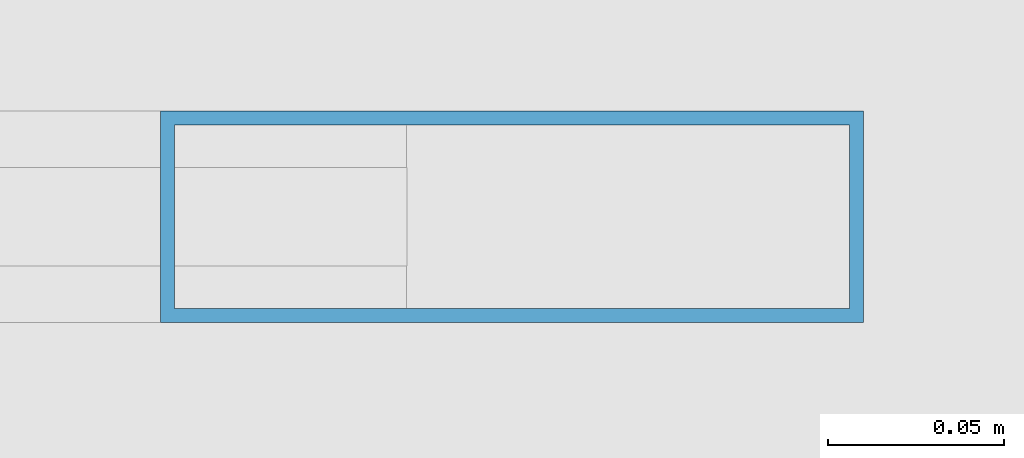
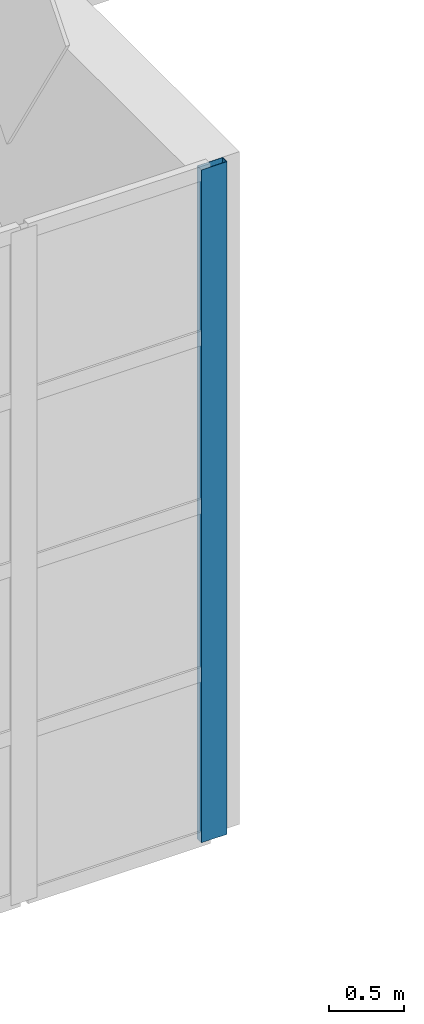
# One storey, part 190 of 437: 1 member, 1 element without a shape of its own.
"""IFC4 building model written with IfcOpenShell, lengths in metres."""

from ifc_helpers import new_model, si_unit, direction, frame, origin, origin_2d, place, context, subcontext, project, spatial, hollow_rectangle, extrude, material, layer, layer_set, material_profile, profile_set, type_object, element, aggregate, save


model = new_model("IFC4")

# Units and contexts
model_context = context("Model", 3, precision=1e-05, world=origin(), true_north=direction((0.0, 1.0)))
body_context = subcontext(model_context, "Body", "Model", "MODEL_VIEW")
ifc_project = project(units=[si_unit("LENGTHUNIT", "METRE"), si_unit("AREAUNIT", "SQUARE_METRE"), si_unit("VOLUMEUNIT", "CUBIC_METRE"), si_unit("PLANEANGLEUNIT", "RADIAN"), si_unit("MASSUNIT", "GRAM", prefix="KILO")], contexts=[model_context])

# Site, building, storey
site_placement = place(None, origin())
site = spatial("IfcSite", under=ifc_project, at=site_placement, CompositionType="ELEMENT")
building_placement = place(site_placement, origin())
building = spatial("IfcBuilding", under=site, at=building_placement, Name="Opaline Strait Convention Centre", CompositionType="ELEMENT")
storey_placement = place(building_placement, frame((0.0, 0.0, 11.5)))
storey = spatial("IfcBuildingStorey", under=building, at=storey_placement, Name="L02", CompositionType="ELEMENT", Elevation=11.5)

# Curtain wall, member
ifc_material_1 = material(Name="Aluminium framed glazing", Category="aluminium")
ifc_layer = layer(ifc_material_1, 0.199951171875)
ifc_layer_set = layer_set([ifc_layer], Name="Aluminium framed glazing")
curtain_wall_type = type_object("IfcCurtainWallType", Name="Entrance curtain wall 1500", PredefinedType="NOTDEFINED", material=ifc_layer_set)
curtain_wall_placement = place(storey_placement, origin())
curtain_wall = element("IfcCurtainWall", 1, at=curtain_wall_placement, inside=storey, type_object=curtain_wall_type, Name="Entrance curtain wall L02-R3", PredefinedType="NOTDEFINED")
ifc_material_2 = material(Name="Aluminium alloy 6063", Category="aluminium")
ifc_material_profile = material_profile(ifc_material_2, hollow_rectangle(XDim=0.06005859375, YDim=0.199951171875, WallThickness=0.00390625, at=origin_2d()), Name="MULLION 60x200x4")
ifc_profile_set = profile_set([ifc_material_profile], Name="Aluminium alloy 6063")
member_type = type_object("IfcMemberType", Name="Curtain wall mullion 60 x 200", PredefinedType="MULLION", material=ifc_profile_set)
member_placement = place(storey_placement, frame((206.969970703125, 144.0, 0.0), z_axis=(0.0, 0.0, 1.0), x_axis=(0.0, 1.0, 0.0)))
member = element("IfcMember", 2, at=member_placement, type_object=member_type, Name="XCW mullion 13", PredefinedType="MULLION", context=body_context, shape_type="SweptSolid", body=[
    extrude(hollow_rectangle(XDim=0.06005859375, YDim=0.199951171875, WallThickness=0.00390625, at=origin_2d()), origin(), (0.0, 0.0, 1.0), 5.5),
])
aggregate(curtain_wall, [member])

save(model, "model.ifc")
